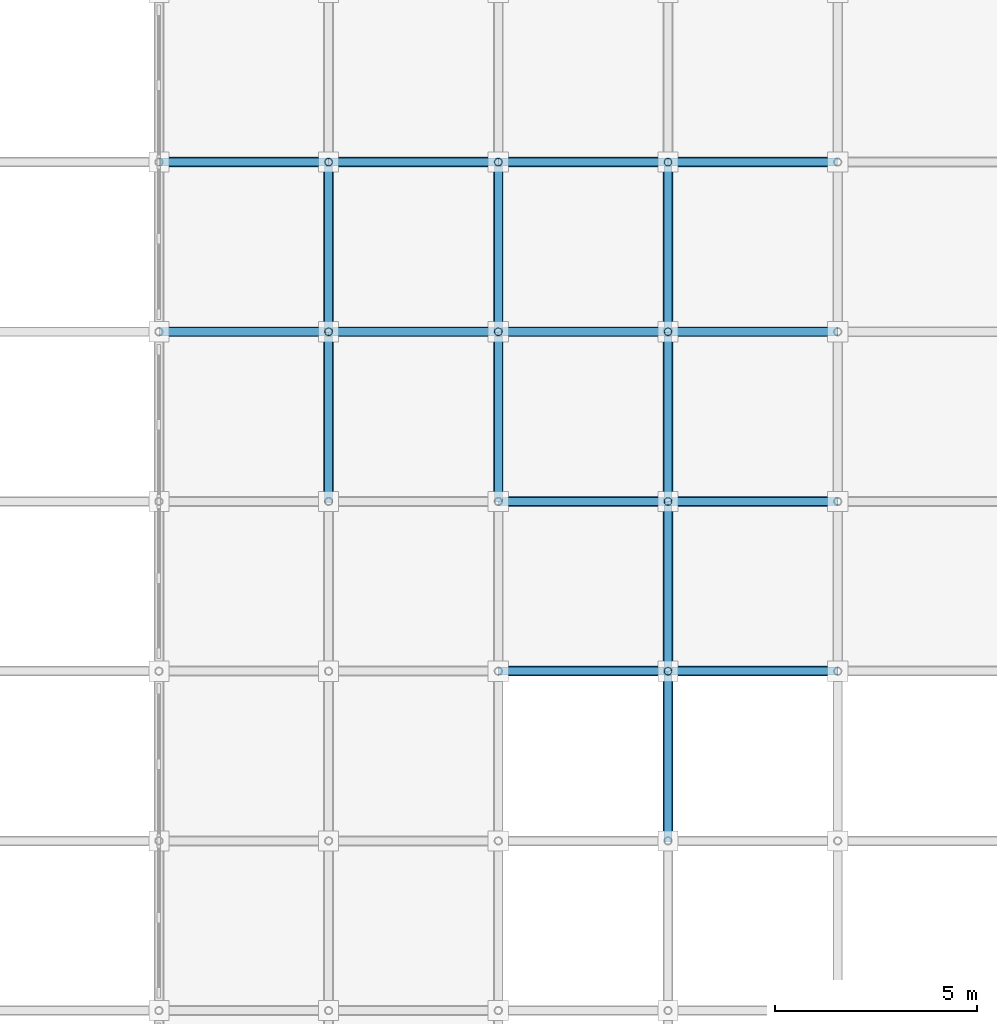
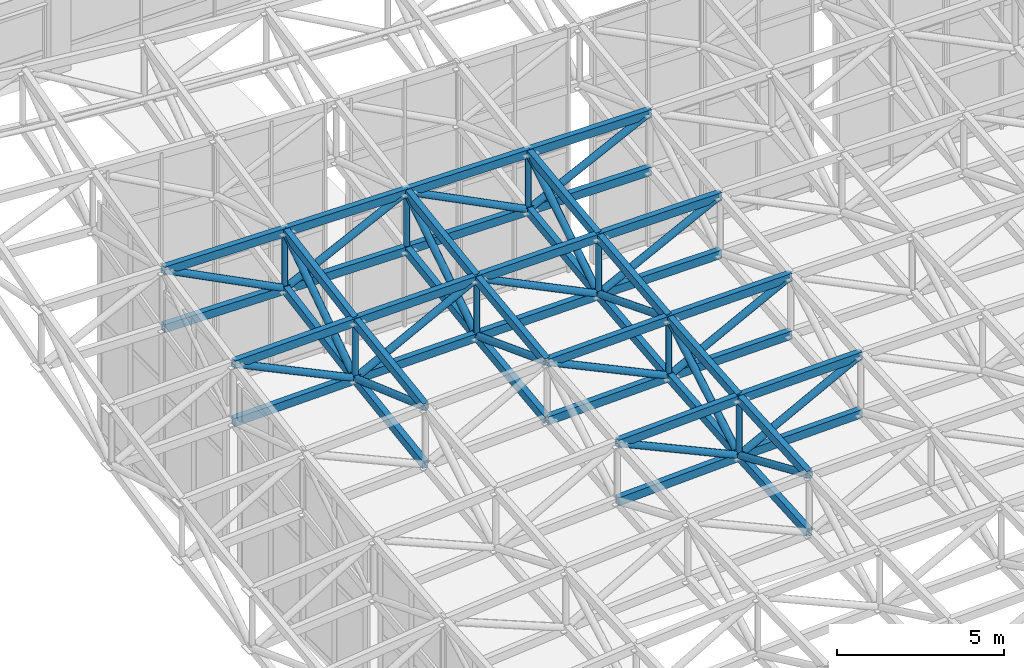
# One storey, part 45 of 123: 68 members.
"""IFC4 building model written with IfcOpenShell, lengths in metres."""

from ifc_helpers import new_model, si_unit, direction, frame, origin, origin_2d, place, context, subcontext, project, spatial, hollow_rectangle, hollow_circle, extrude, material, material_profile, profile_set, type_object, element, save


model = new_model("IFC4")

# Units and contexts
model_context = context("Model", 3, precision=1e-05, world=origin(), true_north=direction((0.0, 1.0)))
body_context = subcontext(model_context, "Body", "Model", "MODEL_VIEW")
ifc_project = project(units=[si_unit("LENGTHUNIT", "METRE"), si_unit("AREAUNIT", "SQUARE_METRE"), si_unit("VOLUMEUNIT", "CUBIC_METRE"), si_unit("PLANEANGLEUNIT", "RADIAN"), si_unit("MASSUNIT", "GRAM", prefix="KILO")], contexts=[model_context])

# Site, building, storey
site_placement = place(None, origin())
site = spatial("IfcSite", under=ifc_project, at=site_placement, CompositionType="ELEMENT")
building_placement = place(site_placement, origin())
building = spatial("IfcBuilding", under=site, at=building_placement, Name="Cumbredor Promenade Congress Hotel", CompositionType="ELEMENT")
storey_placement = place(building_placement, frame((0.0, 0.0, 11.760009765625)))
storey = spatial("IfcBuildingStorey", under=building, at=storey_placement, Name="L03", CompositionType="ELEMENT", Elevation=11.760009765625)

# Members
ifc_material = material(Name="Steel ASTM A500 Grade C", Category="steel")
ifc_material_profile_1 = material_profile(ifc_material, hollow_rectangle(XDim=0.199951171875, YDim=0.300048828125, WallThickness=0.012451171875, at=origin_2d()), Name="HSS 300x200x12.5")
ifc_profile_set_1 = profile_set([ifc_material_profile_1], Name="Steel ASTM A500 Grade C")
member_type_1 = type_object("IfcMemberType", Name="Ballroom Roof Space Frame Chord", PredefinedType="CHORD", material=ifc_profile_set_1)
for number, where, z_axis, x_axis, name in (
    (1, (151.199951171875, 50.39990234375, 6.68212890625), (0.999083570035, 0.0, 0.042802103768), (0.0, 1.0, 0.0), "Grand Ballroom Pavilion X Top Chord 4.13"),
    (2, (151.199951171875, 50.39990234375, 4.582275390625), (0.999086051861, 0.0, 0.042744133824), (0.0, 1.0, 0.0), "Grand Ballroom Pavilion X Bottom Chord 4.13"),
):
    element("IfcMember", number, at=place(storey_placement, frame(where, z_axis=z_axis, x_axis=x_axis)), inside=storey, type_object=member_type_1, Name=name, PredefinedType="CHORD", context=body_context, shape_type="SweptSolid", body=[
        extrude(hollow_rectangle(XDim=0.199951171875, YDim=0.300048828125, WallThickness=0.012451171875, at=origin_2d()), origin(), (0.0, 0.0, 1.0), 4.203857421875),
    ])
for number, where, z_axis, x_axis, name in (
    (3, (155.39990234375, 50.39990234375, 6.862060546875), (0.999670131577, 0.0, 0.025683224724), (0.0, 1.0, 0.0), "Grand Ballroom Pavilion X Top Chord 5.13"),
    (4, (155.39990234375, 50.39990234375, 4.761962890625), (0.999670131577, 0.0, 0.025683224724), (0.0, 1.0, 0.0), "Grand Ballroom Pavilion X Bottom Chord 5.13"),
):
    element("IfcMember", number, at=place(storey_placement, frame(where, z_axis=z_axis, x_axis=x_axis)), inside=storey, type_object=member_type_1, Name=name, PredefinedType="CHORD", context=body_context, shape_type="SweptSolid", body=[
        extrude(hollow_rectangle(XDim=0.199951171875, YDim=0.300048828125, WallThickness=0.012451171875, at=origin_2d()), origin(), (0.0, 0.0, 1.0), 4.20166015625),
    ])
for number, where, z_axis, x_axis, name in (
    (5, (151.199951171875, 54.60009765625, 7.09130859375), (0.999560847032, 0.0, 0.029632972853), (0.0, 1.0, 0.0), "Grand Ballroom Pavilion X Top Chord 4.14"),
    (6, (151.199951171875, 54.60009765625, 4.9912109375), (0.999560847032, 0.0, 0.029632972853), (0.0, 1.0, 0.0), "Grand Ballroom Pavilion X Bottom Chord 4.14"),
):
    element("IfcMember", number, at=place(storey_placement, frame(where, z_axis=z_axis, x_axis=x_axis)), inside=storey, type_object=member_type_1, Name=name, PredefinedType="CHORD", context=body_context, shape_type="SweptSolid", body=[
        extrude(hollow_rectangle(XDim=0.199951171875, YDim=0.300048828125, WallThickness=0.012451171875, at=origin_2d()), origin(), (0.0, 0.0, 1.0), 4.201904296875),
    ])
for number, where, z_axis, x_axis, name in (
    (7, (155.39990234375, 54.60009765625, 7.2158203125), (0.999841856641, 0.0, 0.017783748438), (0.0, 1.0, 0.0), "Grand Ballroom Pavilion X Top Chord 5.14"),
    (8, (155.39990234375, 54.60009765625, 5.11572265625), (0.999840821583, 0.0, 0.017841846793), (0.0, 1.0, 0.0), "Grand Ballroom Pavilion X Bottom Chord 5.14"),
):
    element("IfcMember", number, at=place(storey_placement, frame(where, z_axis=z_axis, x_axis=x_axis)), inside=storey, type_object=member_type_1, Name=name, PredefinedType="CHORD", context=body_context, shape_type="SweptSolid", body=[
        extrude(hollow_rectangle(XDim=0.199951171875, YDim=0.300048828125, WallThickness=0.012451171875, at=origin_2d()), origin(), (0.0, 0.0, 1.0), 4.200927734375),
    ])
for number, where, z_axis, x_axis, name in (
    (9, (142.800048828125, 58.800048828125, 7.423583984375), (0.999713338557, 0.0, 0.023942445823), (0.0, 1.0, 0.0), "Grand Ballroom Pavilion X Top Chord 2.15"),
    (10, (142.800048828125, 58.800048828125, 5.323486328125), (0.999711945909, 0.0, 0.024000525121), (0.0, 1.0, 0.0), "Grand Ballroom Pavilion X Bottom Chord 2.15"),
):
    element("IfcMember", number, at=place(storey_placement, frame(where, z_axis=z_axis, x_axis=x_axis)), inside=storey, type_object=member_type_1, Name=name, PredefinedType="CHORD", context=body_context, shape_type="SweptSolid", body=[
        extrude(hollow_rectangle(XDim=0.199951171875, YDim=0.300048828125, WallThickness=0.012451171875, at=origin_2d()), origin(), (0.0, 0.0, 1.0), 4.201171875),
    ])
for number, where, z_axis, x_axis, name in (
    (11, (147.0, 58.800048828125, 7.524169921875), (0.999827038718, 0.0, 0.018598189408), (0.0, 1.0, 0.0), "Grand Ballroom Pavilion X Top Chord 3.15"),
    (12, (147.0, 58.800048828125, 5.42431640625), (0.999828117758, 0.0, 0.018540090075), (0.0, 1.0, 0.0), "Grand Ballroom Pavilion X Bottom Chord 3.15"),
):
    element("IfcMember", number, at=place(storey_placement, frame(where, z_axis=z_axis, x_axis=x_axis)), inside=storey, type_object=member_type_1, Name=name, PredefinedType="CHORD", context=body_context, shape_type="SweptSolid", body=[
        extrude(hollow_rectangle(XDim=0.199951171875, YDim=0.300048828125, WallThickness=0.012451171875, at=origin_2d()), origin(), (0.0, 0.0, 1.0), 4.20068359375),
    ])
for number, where, z_axis, x_axis, name in (
    (13, (151.199951171875, 58.800048828125, 7.602294921875), (0.999912183907, 0.0, 0.013252338425), (0.0, 1.0, 0.0), "Grand Ballroom Pavilion X Top Chord 4.15"),
    (14, (151.199951171875, 58.800048828125, 5.502197265625), (0.999911412004, 0.0, 0.013310452441), (0.0, 1.0, 0.0), "Grand Ballroom Pavilion X Bottom Chord 4.15"),
    (15, (155.39990234375, 58.800048828125, 7.657958984375), (0.999968294718, 0.0, 0.00796301188), (0.0, 1.0, 0.0), "Grand Ballroom Pavilion X Top Chord 5.15"),
    (16, (155.39990234375, 58.800048828125, 5.55810546875), (0.999968755858, 0.0, 0.007904891351), (0.0, 1.0, 0.0), "Grand Ballroom Pavilion X Bottom Chord 5.15"),
):
    element("IfcMember", number, at=place(storey_placement, frame(where, z_axis=z_axis, x_axis=x_axis)), inside=storey, type_object=member_type_1, Name=name, PredefinedType="CHORD", context=body_context, shape_type="SweptSolid", body=[
        extrude(hollow_rectangle(XDim=0.199951171875, YDim=0.300048828125, WallThickness=0.012451171875, at=origin_2d()), origin(), (0.0, 0.0, 1.0), 4.200439453125),
    ])
for number, where, z_axis, x_axis, name in (
    (17, (142.800048828125, 63.0, 8.30126953125), (0.999934438125, 0.0, -0.011450740238), (0.0, 1.0, 0.0), "Grand Ballroom Pavilion X Top Chord 2.16"),
    (18, (142.800048828125, 63.0, 6.201171875), (0.999934438125, 0.0, -0.011450740238), (0.0, 1.0, 0.0), "Grand Ballroom Pavilion X Bottom Chord 2.16"),
    (19, (147.0, 63.0, 8.253173828125), (0.99995993391, 0.0, -0.008951568321), (0.0, 1.0, 0.0), "Grand Ballroom Pavilion X Top Chord 3.16"),
    (20, (147.0, 63.0, 6.153076171875), (0.99995993391, 0.0, -0.008951568321), (0.0, 1.0, 0.0), "Grand Ballroom Pavilion X Bottom Chord 3.16"),
):
    element("IfcMember", number, at=place(storey_placement, frame(where, z_axis=z_axis, x_axis=x_axis)), inside=storey, type_object=member_type_1, Name=name, PredefinedType="CHORD", context=body_context, shape_type="SweptSolid", body=[
        extrude(hollow_rectangle(XDim=0.199951171875, YDim=0.300048828125, WallThickness=0.012451171875, at=origin_2d()), origin(), (0.0, 0.0, 1.0), 4.2001953125),
    ])
for number, where, z_axis, x_axis, name in (
    (21, (151.199951171875, 63.0, 8.215576171875), (0.999979184156, 0.0, -0.006452228649), (0.0, 1.0, 0.0), "Grand Ballroom Pavilion X Top Chord 4.16"),
    (22, (151.199951171875, 63.0, 6.115478515625), (0.999979557515, 0.0, -0.00639410285), (0.0, 1.0, 0.0), "Grand Ballroom Pavilion X Bottom Chord 4.16"),
):
    element("IfcMember", number, at=place(storey_placement, frame(where, z_axis=z_axis, x_axis=x_axis)), inside=storey, type_object=member_type_1, Name=name, PredefinedType="CHORD", context=body_context, shape_type="SweptSolid", body=[
        extrude(hollow_rectangle(XDim=0.199951171875, YDim=0.300048828125, WallThickness=0.012451171875, at=origin_2d()), origin(), (0.0, 0.0, 1.0), 4.199951171875),
    ])
for number, where, z_axis, x_axis, name in (
    (23, (155.39990234375, 63.0, 8.1884765625), (0.999992641417, 0.0, -0.003836288906), (0.0, 1.0, 0.0), "Grand Ballroom Pavilion X Top Chord 5.16"),
    (24, (155.39990234375, 63.0, 6.088623046875), (0.999992641417, 0.0, -0.003836288906), (0.0, 1.0, 0.0), "Grand Ballroom Pavilion X Bottom Chord 5.16"),
):
    element("IfcMember", number, at=place(storey_placement, frame(where, z_axis=z_axis, x_axis=x_axis)), inside=storey, type_object=member_type_1, Name=name, PredefinedType="CHORD", context=body_context, shape_type="SweptSolid", body=[
        extrude(hollow_rectangle(XDim=0.199951171875, YDim=0.300048828125, WallThickness=0.012451171875, at=origin_2d()), origin(), (0.0, 0.0, 1.0), 4.2001953125),
    ])
for number, where, z_axis, x_axis, name in (
    (25, (147.0, 54.60009765625, 6.916748046875), (0.0, 0.98970292578, 0.143136713326), (-1.0, 0.0, 0.0), "Grand Ballroom Pavilion Y Top Chord 3.14"),
    (26, (147.0, 54.60009765625, 4.816650390625), (0.0, 0.989694774263, 0.143193064764), (-1.0, 0.0, 0.0), "Grand Ballroom Pavilion Y Bottom Chord 3.14"),
):
    element("IfcMember", number, at=place(storey_placement, frame(where, z_axis=z_axis, x_axis=x_axis)), inside=storey, type_object=member_type_1, Name=name, PredefinedType="CHORD", context=body_context, shape_type="SweptSolid", body=[
        extrude(hollow_rectangle(XDim=0.199951171875, YDim=0.300048828125, WallThickness=0.012451171875, at=origin_2d()), origin(), (0.0, 0.0, 1.0), 4.24365234375),
    ])
for number, where, z_axis, x_axis, name in (
    (27, (147.0, 58.800048828125, 7.524169921875), (0.0, 0.985268028825, 0.17101728385), (-1.0, 0.0, 0.0), "Grand Ballroom Pavilion Y Top Chord 3.15"),
    (28, (147.0, 58.800048828125, 5.42431640625), (0.0, 0.985277677735, 0.170961685057), (-1.0, 0.0, 0.0), "Grand Ballroom Pavilion Y Bottom Chord 3.15"),
):
    element("IfcMember", number, at=place(storey_placement, frame(where, z_axis=z_axis, x_axis=x_axis)), inside=storey, type_object=member_type_1, Name=name, PredefinedType="CHORD", context=body_context, shape_type="SweptSolid", body=[
        extrude(hollow_rectangle(XDim=0.199951171875, YDim=0.300048828125, WallThickness=0.012451171875, at=origin_2d()), origin(), (0.0, 0.0, 1.0), 4.2626953125),
    ])
for number, where, z_axis, x_axis, name in (
    (29, (151.199951171875, 54.60009765625, 7.09130859375), (0.0, 0.992680000349, 0.120774239419), (-1.0, 0.0, 0.0), "Grand Ballroom Pavilion Y Top Chord 4.14"),
    (30, (151.199951171875, 54.60009765625, 4.9912109375), (0.0, 0.992680000349, 0.120774239419), (-1.0, 0.0, 0.0), "Grand Ballroom Pavilion Y Bottom Chord 4.14"),
):
    element("IfcMember", number, at=place(storey_placement, frame(where, z_axis=z_axis, x_axis=x_axis)), inside=storey, type_object=member_type_1, Name=name, PredefinedType="CHORD", context=body_context, shape_type="SweptSolid", body=[
        extrude(hollow_rectangle(XDim=0.199951171875, YDim=0.300048828125, WallThickness=0.012451171875, at=origin_2d()), origin(), (0.0, 0.0, 1.0), 4.23095703125),
    ])
for number, where, z_axis, x_axis, name in (
    (31, (151.199951171875, 58.800048828125, 7.602294921875), (0.0, 0.989506441374, 0.144488762468), (-1.0, 0.0, 0.0), "Grand Ballroom Pavilion Y Top Chord 4.15"),
    (32, (151.199951171875, 58.800048828125, 5.502197265625), (0.0, 0.989506441374, 0.144488762468), (-1.0, 0.0, 0.0), "Grand Ballroom Pavilion Y Bottom Chord 4.15"),
):
    element("IfcMember", number, at=place(storey_placement, frame(where, z_axis=z_axis, x_axis=x_axis)), inside=storey, type_object=member_type_1, Name=name, PredefinedType="CHORD", context=body_context, shape_type="SweptSolid", body=[
        extrude(hollow_rectangle(XDim=0.199951171875, YDim=0.300048828125, WallThickness=0.012451171875, at=origin_2d()), origin(), (0.0, 0.0, 1.0), 4.244384765625),
    ])
for number, where, z_axis, x_axis, name in (
    (33, (155.39990234375, 46.199951171875, 6.5966796875), (0.0, 0.998009681271, 0.063060891911), (-1.0, 0.0, 0.0), "Grand Ballroom Pavilion Y Top Chord 5.12"),
    (34, (155.39990234375, 46.199951171875, 4.49658203125), (0.0, 0.998009681271, 0.063060891911), (-1.0, 0.0, 0.0), "Grand Ballroom Pavilion Y Bottom Chord 5.12"),
):
    element("IfcMember", number, at=place(storey_placement, frame(where, z_axis=z_axis, x_axis=x_axis)), inside=storey, type_object=member_type_1, Name=name, PredefinedType="CHORD", context=body_context, shape_type="SweptSolid", body=[
        extrude(hollow_rectangle(XDim=0.199951171875, YDim=0.300048828125, WallThickness=0.012451171875, at=origin_2d()), origin(), (0.0, 0.0, 1.0), 4.208251953125),
    ])
for number, where, z_axis, x_axis, name in (
    (35, (155.39990234375, 50.39990234375, 6.862060546875), (0.0, 0.996471868261, 0.08392744345), (-1.0, 0.0, 0.0), "Grand Ballroom Pavilion Y Top Chord 5.13"),
    (36, (155.39990234375, 50.39990234375, 4.761962890625), (0.0, 0.996471868261, 0.08392744345), (-1.0, 0.0, 0.0), "Grand Ballroom Pavilion Y Bottom Chord 5.13"),
):
    element("IfcMember", number, at=place(storey_placement, frame(where, z_axis=z_axis, x_axis=x_axis)), inside=storey, type_object=member_type_1, Name=name, PredefinedType="CHORD", context=body_context, shape_type="SweptSolid", body=[
        extrude(hollow_rectangle(XDim=0.199951171875, YDim=0.300048828125, WallThickness=0.012451171875, at=origin_2d()), origin(), (0.0, 0.0, 1.0), 4.215087890625),
    ])
for number, where, z_axis, x_axis, name in (
    (37, (155.39990234375, 54.60009765625, 7.2158203125), (0.0, 0.99450450258, 0.104693812368), (-1.0, 0.0, 0.0), "Grand Ballroom Pavilion Y Top Chord 5.14"),
    (38, (155.39990234375, 54.60009765625, 5.11572265625), (0.0, 0.99449848189, 0.104750988152), (-1.0, 0.0, 0.0), "Grand Ballroom Pavilion Y Bottom Chord 5.14"),
):
    element("IfcMember", number, at=place(storey_placement, frame(where, z_axis=z_axis, x_axis=x_axis)), inside=storey, type_object=member_type_1, Name=name, PredefinedType="CHORD", context=body_context, shape_type="SweptSolid", body=[
        extrude(hollow_rectangle(XDim=0.199951171875, YDim=0.300048828125, WallThickness=0.012451171875, at=origin_2d()), origin(), (0.0, 0.0, 1.0), 4.22314453125),
    ])
for number, where, z_axis, x_axis, name in (
    (39, (155.39990234375, 58.800048828125, 7.657958984375), (0.0, 0.992116453102, 0.125319365959), (-1.0, 0.0, 0.0), "Grand Ballroom Pavilion Y Top Chord 5.15"),
    (40, (155.39990234375, 58.800048828125, 5.55810546875), (0.0, 0.992116453102, 0.125319365959), (-1.0, 0.0, 0.0), "Grand Ballroom Pavilion Y Bottom Chord 5.15"),
):
    element("IfcMember", number, at=place(storey_placement, frame(where, z_axis=z_axis, x_axis=x_axis)), inside=storey, type_object=member_type_1, Name=name, PredefinedType="CHORD", context=body_context, shape_type="SweptSolid", body=[
        extrude(hollow_rectangle(XDim=0.199951171875, YDim=0.300048828125, WallThickness=0.012451171875, at=origin_2d()), origin(), (0.0, 0.0, 1.0), 4.2333984375),
    ])
ifc_material_profile_2 = material_profile(ifc_material, hollow_circle(Radius=0.122314453125, WallThickness=0.012451171875, at=origin_2d()), Name="CHS 244.5x12.5")
ifc_profile_set_2 = profile_set([ifc_material_profile_2], Name="Steel ASTM A500 Grade C")
member_type_2 = type_object("IfcMemberType", Name="Space Frame Web Diagonal D2", PredefinedType="BRACE", material=ifc_profile_set_2)
member_1_placement = place(storey_placement, frame((151.199951171875, 50.39990234375, 6.68212890625), z_axis=(0.909459054134, 0.0, -0.41579349304), x_axis=(0.0, 1.0, 0.0)))
element("IfcMember", 41, at=member_1_placement, inside=storey, type_object=member_type_2, Name="Grand Ballroom Pavilion X Web Diagonal 4.13", PredefinedType="BRACE", context=body_context, shape_type="SweptSolid", body=[
    extrude(hollow_circle(Radius=0.122314453125, WallThickness=0.012451171875, at=origin_2d()), origin(), (0.0, 0.0, 1.0), 4.6181640625),
])
member_2_placement = place(storey_placement, frame((155.39990234375, 50.39990234375, 4.761962890625), z_axis=(0.885145791269, 0.0, 0.46531379541), x_axis=(0.0, 1.0, 0.0)))
element("IfcMember", 42, at=member_2_placement, inside=storey, type_object=member_type_2, Name="Grand Ballroom Pavilion X Web Diagonal 5.13", PredefinedType="BRACE", context=body_context, shape_type="SweptSolid", body=[
    extrude(hollow_circle(Radius=0.122314453125, WallThickness=0.012451171875, at=origin_2d()), origin(), (0.0, 0.0, 1.0), 4.7451171875),
])
member_3_placement = place(storey_placement, frame((151.199951171875, 54.60009765625, 7.09130859375), z_axis=(0.904890214496, 0.0, -0.425645039569), x_axis=(0.0, 1.0, 0.0)))
element("IfcMember", 43, at=member_3_placement, inside=storey, type_object=member_type_2, Name="Grand Ballroom Pavilion X Web Diagonal 4.14", PredefinedType="BRACE", context=body_context, shape_type="SweptSolid", body=[
    extrude(hollow_circle(Radius=0.122314453125, WallThickness=0.012451171875, at=origin_2d()), origin(), (0.0, 0.0, 1.0), 4.641357421875),
])
member_4_placement = place(storey_placement, frame((155.39990234375, 54.60009765625, 5.11572265625), z_axis=(0.888020002283, 0.0, 0.459804823317), x_axis=(0.0, 1.0, 0.0)))
element("IfcMember", 44, at=member_4_placement, inside=storey, type_object=member_type_2, Name="Grand Ballroom Pavilion X Web Diagonal 5.14", PredefinedType="BRACE", context=body_context, shape_type="SweptSolid", body=[
    extrude(hollow_circle(Radius=0.122314453125, WallThickness=0.012451171875, at=origin_2d()), origin(), (0.0, 0.0, 1.0), 4.729736328125),
])
member_5_placement = place(storey_placement, frame((142.800048828125, 58.800048828125, 7.423583984375), z_axis=(0.902919690617, 0.0, -0.429809297591), x_axis=(0.0, 1.0, 0.0)))
element("IfcMember", 45, at=member_5_placement, inside=storey, type_object=member_type_2, Name="Grand Ballroom Pavilion X Web Diagonal 2.15", PredefinedType="BRACE", context=body_context, shape_type="SweptSolid", body=[
    extrude(hollow_circle(Radius=0.122314453125, WallThickness=0.012451171875, at=origin_2d()), origin(), (0.0, 0.0, 1.0), 4.651611328125),
])
member_6_placement = place(storey_placement, frame((147.0, 58.800048828125, 5.42431640625), z_axis=(0.887735005002, 0.0, 0.460354820649), x_axis=(0.0, 1.0, 0.0)))
element("IfcMember", 46, at=member_6_placement, inside=storey, type_object=member_type_2, Name="Grand Ballroom Pavilion X Web Diagonal 3.15", PredefinedType="BRACE", context=body_context, shape_type="SweptSolid", body=[
    extrude(hollow_circle(Radius=0.122314453125, WallThickness=0.012451171875, at=origin_2d()), origin(), (0.0, 0.0, 1.0), 4.731201171875),
])
member_7_placement = place(storey_placement, frame((151.199951171875, 58.800048828125, 7.602294921875), z_axis=(0.899153384276, 0.0, -0.437633627073), x_axis=(0.0, 1.0, 0.0)))
element("IfcMember", 47, at=member_7_placement, inside=storey, type_object=member_type_2, Name="Grand Ballroom Pavilion X Web Diagonal 4.15", PredefinedType="BRACE", context=body_context, shape_type="SweptSolid", body=[
    extrude(hollow_circle(Radius=0.122314453125, WallThickness=0.012451171875, at=origin_2d()), origin(), (0.0, 0.0, 1.0), 4.6708984375),
])
member_8_placement = place(storey_placement, frame((155.39990234375, 58.800048828125, 5.55810546875), z_axis=(0.891590160655, 0.0, 0.45284322389), x_axis=(0.0, 1.0, 0.0)))
element("IfcMember", 48, at=member_8_placement, inside=storey, type_object=member_type_2, Name="Grand Ballroom Pavilion X Web Diagonal 5.15", PredefinedType="BRACE", context=body_context, shape_type="SweptSolid", body=[
    extrude(hollow_circle(Radius=0.122314453125, WallThickness=0.012451171875, at=origin_2d()), origin(), (0.0, 0.0, 1.0), 4.7109375),
])
member_9_placement = place(storey_placement, frame((142.800048828125, 63.0, 8.30126953125), z_axis=(0.890301351474, 0.0, -0.455371830007), x_axis=(0.0, 1.0, 0.0)))
element("IfcMember", 49, at=member_9_placement, inside=storey, type_object=member_type_2, Name="Grand Ballroom Pavilion X Web Diagonal 2.16", PredefinedType="BRACE", context=body_context, shape_type="SweptSolid", body=[
    extrude(hollow_circle(Radius=0.122314453125, WallThickness=0.012451171875, at=origin_2d()), origin(), (0.0, 0.0, 1.0), 4.717529296875),
])
member_10_placement = place(storey_placement, frame((147.0, 63.0, 6.153076171875), z_axis=(0.897607933284, 0.0, 0.440794734662), x_axis=(0.0, 1.0, 0.0)))
element("IfcMember", 50, at=member_10_placement, inside=storey, type_object=member_type_2, Name="Grand Ballroom Pavilion X Web Diagonal 3.16", PredefinedType="BRACE", context=body_context, shape_type="SweptSolid", body=[
    extrude(hollow_circle(Radius=0.122314453125, WallThickness=0.012451171875, at=origin_2d()), origin(), (0.0, 0.0, 1.0), 4.678955078125),
])
member_11_placement = place(storey_placement, frame((151.199951171875, 63.0, 8.215576171875), z_axis=(0.892123293135, 0.0, -0.451792020566), x_axis=(0.0, 1.0, 0.0)))
element("IfcMember", 51, at=member_11_placement, inside=storey, type_object=member_type_2, Name="Grand Ballroom Pavilion X Web Diagonal 4.16", PredefinedType="BRACE", context=body_context, shape_type="SweptSolid", body=[
    extrude(hollow_circle(Radius=0.122314453125, WallThickness=0.012451171875, at=origin_2d()), origin(), (0.0, 0.0, 1.0), 4.707763671875),
])
member_12_placement = place(storey_placement, frame((155.39990234375, 63.0, 6.088623046875), z_axis=(0.895818321928, 0.0, 0.444420447434), x_axis=(0.0, 1.0, 0.0)))
element("IfcMember", 52, at=member_12_placement, inside=storey, type_object=member_type_2, Name="Grand Ballroom Pavilion X Web Diagonal 5.16", PredefinedType="BRACE", context=body_context, shape_type="SweptSolid", body=[
    extrude(hollow_circle(Radius=0.122314453125, WallThickness=0.012451171875, at=origin_2d()), origin(), (0.0, 0.0, 1.0), 4.688720703125),
])
member_13_placement = place(storey_placement, frame((147.0, 54.60009765625, 6.916748046875), z_axis=(0.0, 0.942277300128, -0.334833525297), x_axis=(-1.0, 0.0, 0.0)))
element("IfcMember", 53, at=member_13_placement, inside=storey, type_object=member_type_2, Name="Grand Ballroom Pavilion Y Web Diagonal 3.14", PredefinedType="BRACE", context=body_context, shape_type="SweptSolid", body=[
    extrude(hollow_circle(Radius=0.122314453125, WallThickness=0.012451171875, at=origin_2d()), origin(), (0.0, 0.0, 1.0), 4.457275390625),
])
member_14_placement = place(storey_placement, frame((147.0, 58.800048828125, 5.42431640625), z_axis=(0.0, 0.829407749528, 0.558643701318), x_axis=(-1.0, 0.0, 0.0)))
element("IfcMember", 54, at=member_14_placement, inside=storey, type_object=member_type_2, Name="Grand Ballroom Pavilion Y Web Diagonal 3.15", PredefinedType="BRACE", context=body_context, shape_type="SweptSolid", body=[
    extrude(hollow_circle(Radius=0.122314453125, WallThickness=0.012451171875, at=origin_2d()), origin(), (0.0, 0.0, 1.0), 5.063720703125),
])
member_15_placement = place(storey_placement, frame((151.199951171875, 54.60009765625, 7.09130859375), z_axis=(0.0, 0.935290634607, -0.353880529016), x_axis=(-1.0, 0.0, 0.0)))
element("IfcMember", 55, at=member_15_placement, inside=storey, type_object=member_type_2, Name="Grand Ballroom Pavilion Y Web Diagonal 4.14", PredefinedType="BRACE", context=body_context, shape_type="SweptSolid", body=[
    extrude(hollow_circle(Radius=0.122314453125, WallThickness=0.012451171875, at=origin_2d()), origin(), (0.0, 0.0, 1.0), 4.490478515625),
])
member_16_placement = place(storey_placement, frame((151.199951171875, 58.800048828125, 5.502197265625), z_axis=(0.0, 0.839956385906, 0.542653913443), x_axis=(-1.0, 0.0, 0.0)))
element("IfcMember", 56, at=member_16_placement, inside=storey, type_object=member_type_2, Name="Grand Ballroom Pavilion Y Web Diagonal 4.15", PredefinedType="BRACE", context=body_context, shape_type="SweptSolid", body=[
    extrude(hollow_circle(Radius=0.122314453125, WallThickness=0.012451171875, at=origin_2d()), origin(), (0.0, 0.0, 1.0), 5.000244140625),
])
member_17_placement = place(storey_placement, frame((155.39990234375, 46.199951171875, 6.5966796875), z_axis=(0.0, 0.916378477988, -0.400312983903), x_axis=(-1.0, 0.0, 0.0)))
element("IfcMember", 57, at=member_17_placement, inside=storey, type_object=member_type_2, Name="Grand Ballroom Pavilion Y Web Diagonal 5.12", PredefinedType="BRACE", context=body_context, shape_type="SweptSolid", body=[
    extrude(hollow_circle(Radius=0.122314453125, WallThickness=0.012451171875, at=origin_2d()), origin(), (0.0, 0.0, 1.0), 4.583251953125),
])
member_18_placement = place(storey_placement, frame((155.39990234375, 50.39990234375, 4.761962890625), z_axis=(0.0, 0.863443773019, 0.504445091991), x_axis=(-1.0, 0.0, 0.0)))
element("IfcMember", 58, at=member_18_placement, inside=storey, type_object=member_type_2, Name="Grand Ballroom Pavilion Y Web Diagonal 5.13", PredefinedType="BRACE", context=body_context, shape_type="SweptSolid", body=[
    extrude(hollow_circle(Radius=0.122314453125, WallThickness=0.012451171875, at=origin_2d()), origin(), (0.0, 0.0, 1.0), 4.864501953125),
])
member_19_placement = place(storey_placement, frame((155.39990234375, 54.60009765625, 7.2158203125), z_axis=(0.0, 0.930167369579, -0.367135757684), x_axis=(-1.0, 0.0, 0.0)))
element("IfcMember", 59, at=member_19_placement, inside=storey, type_object=member_type_2, Name="Grand Ballroom Pavilion Y Web Diagonal 5.14", PredefinedType="BRACE", context=body_context, shape_type="SweptSolid", body=[
    extrude(hollow_circle(Radius=0.122314453125, WallThickness=0.012451171875, at=origin_2d()), origin(), (0.0, 0.0, 1.0), 4.515380859375),
])
member_20_placement = place(storey_placement, frame((155.39990234375, 58.800048828125, 5.55810546875), z_axis=(0.0, 0.84750805815, 0.530782527379), x_axis=(-1.0, 0.0, 0.0)))
element("IfcMember", 60, at=member_20_placement, inside=storey, type_object=member_type_2, Name="Grand Ballroom Pavilion Y Web Diagonal 5.15", PredefinedType="BRACE", context=body_context, shape_type="SweptSolid", body=[
    extrude(hollow_circle(Radius=0.122314453125, WallThickness=0.012451171875, at=origin_2d()), origin(), (0.0, 0.0, 1.0), 4.95556640625),
])
ifc_material_profile_3 = material_profile(ifc_material, hollow_circle(Radius=0.096923828125, WallThickness=0.010009765625, at=origin_2d()), Name="CHS 193.7x10")
ifc_profile_set_3 = profile_set([ifc_material_profile_3], Name="Steel ASTM A500 Grade C")
member_type_3 = type_object("IfcMemberType", Name="Space Frame Web Post P1", PredefinedType="BRACE", material=ifc_profile_set_3)
member_21_placement = place(storey_placement, frame((147.0, 58.800048828125, 5.42431640625), z_axis=(0.0, 0.0, 1.0), x_axis=(1.0, 0.0, 0.0)))
element("IfcMember", 61, at=member_21_placement, inside=storey, type_object=member_type_3, Name="Grand Ballroom Pavilion Space Frame Web Post 3.15", PredefinedType="BRACE", context=body_context, shape_type="SweptSolid", body=[
    extrude(hollow_circle(Radius=0.096923828125, WallThickness=0.010009765625, at=origin_2d()), origin(), (0.0, 0.0, 1.0), 2.099853515625),
])
for number, where, z_axis, x_axis, name in (
    (62, (147.0, 63.0, 6.153076171875), (0.0, 0.0, 1.0), (1.0, 0.0, 0.0), "Grand Ballroom Pavilion Space Frame Web Post 3.16"),
    (63, (151.199951171875, 58.800048828125, 5.502197265625), (0.0, 0.0, 1.0), (1.0, 0.0, 0.0), "Grand Ballroom Pavilion Space Frame Web Post 4.15"),
    (64, (151.199951171875, 63.0, 6.115478515625), (0.0, 0.0, 1.0), (1.0, 0.0, 0.0), "Grand Ballroom Pavilion Space Frame Web Post 4.16"),
    (65, (155.39990234375, 50.39990234375, 4.761962890625), (0.0, 0.0, 1.0), (1.0, 0.0, 0.0), "Grand Ballroom Pavilion Space Frame Web Post 5.13"),
    (66, (155.39990234375, 54.60009765625, 5.11572265625), (0.0, 0.0, 1.0), (1.0, 0.0, 0.0), "Grand Ballroom Pavilion Space Frame Web Post 5.14"),
):
    element("IfcMember", number, at=place(storey_placement, frame(where, z_axis=z_axis, x_axis=x_axis)), inside=storey, type_object=member_type_3, Name=name, PredefinedType="BRACE", context=body_context, shape_type="SweptSolid", body=[
        extrude(hollow_circle(Radius=0.096923828125, WallThickness=0.010009765625, at=origin_2d()), origin(), (0.0, 0.0, 1.0), 2.10009765625),
    ])
for number, where, z_axis, x_axis, name in (
    (67, (155.39990234375, 58.800048828125, 5.55810546875), (0.0, 0.0, 1.0), (1.0, 0.0, 0.0), "Grand Ballroom Pavilion Space Frame Web Post 5.15"),
    (68, (155.39990234375, 63.0, 6.088623046875), (0.0, 0.0, 1.0), (1.0, 0.0, 0.0), "Grand Ballroom Pavilion Space Frame Web Post 5.16"),
):
    element("IfcMember", number, at=place(storey_placement, frame(where, z_axis=z_axis, x_axis=x_axis)), inside=storey, type_object=member_type_3, Name=name, PredefinedType="BRACE", context=body_context, shape_type="SweptSolid", body=[
        extrude(hollow_circle(Radius=0.096923828125, WallThickness=0.010009765625, at=origin_2d()), origin(), (0.0, 0.0, 1.0), 2.099853515625),
    ])

save(model, "model.ifc")
